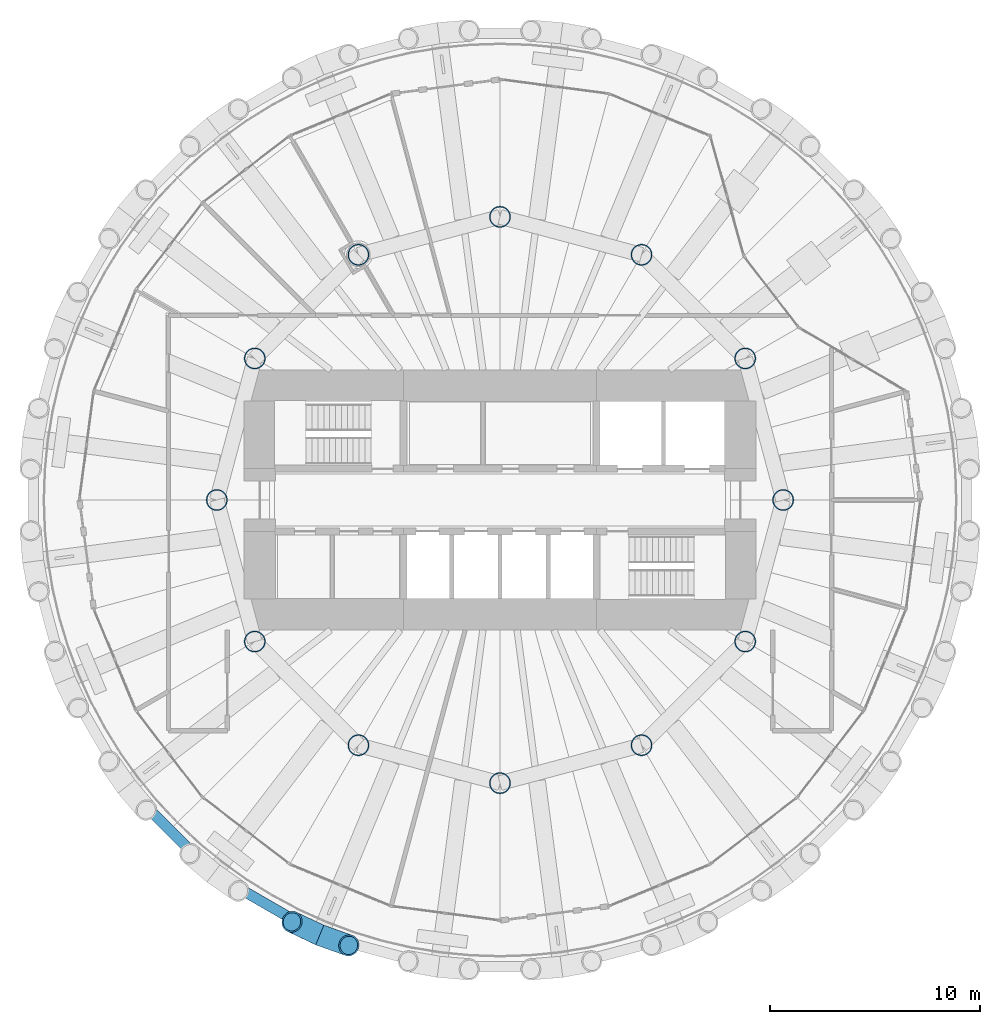
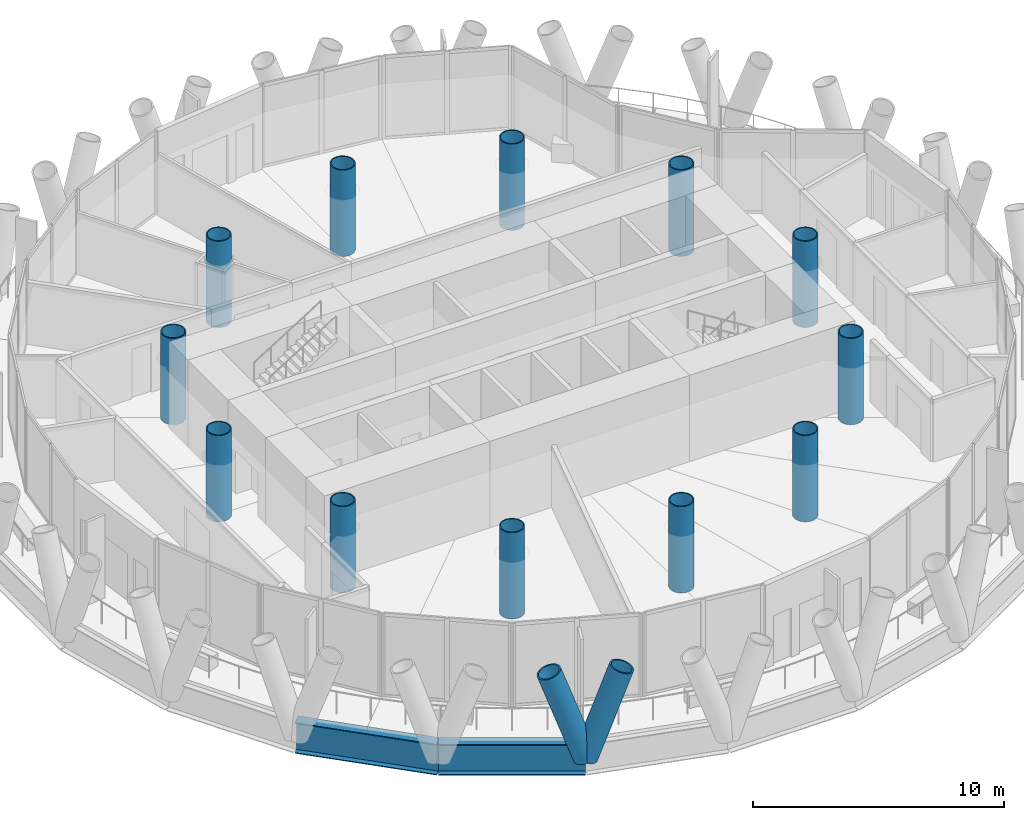
# One storey, part 1 of 14: 12 columns, 2 beams, 2 members.
"""IFC4 building model written with IfcOpenShell, lengths in metres."""

from ifc_helpers import new_model, si_unit, direction, frame, origin, origin_2d, place, context, subcontext, project, spatial, hollow_circle, i_section, extrude, material, material_profile, profile_set, type_object, element, save


model = new_model("IFC4")

# Units and contexts
model_context = context("Model", 3, precision=1e-05, world=origin(), true_north=direction((0.0, 1.0)))
body_context = subcontext(model_context, "Body", "Model", "MODEL_VIEW")
ifc_project = project(units=[si_unit("LENGTHUNIT", "METRE"), si_unit("AREAUNIT", "SQUARE_METRE"), si_unit("VOLUMEUNIT", "CUBIC_METRE"), si_unit("PLANEANGLEUNIT", "RADIAN"), si_unit("MASSUNIT", "GRAM", prefix="KILO")], contexts=[model_context])

# Site, building, storey
site_placement = place(None, origin())
site = spatial("IfcSite", under=ifc_project, at=site_placement, CompositionType="ELEMENT")
building_placement = place(site_placement, origin())
building = spatial("IfcBuilding", under=site, at=building_placement, Name="Qaws Media Tower", CompositionType="ELEMENT")
storey_placement = place(building_placement, frame((0.0, 0.0, 236.0)))
storey = spatial("IfcBuildingStorey", under=building, at=storey_placement, Name="L54", CompositionType="ELEMENT", Elevation=236.0)

# Columns
ifc_material_1 = material(Name="Steel S460", Category="steel")
ifc_material_profile_1 = material_profile(ifc_material_1, hollow_circle(Radius=0.508056640625, WallThickness=0.050048828125, at=origin_2d()), Name="CHS 1016x50")
ifc_profile_set_1 = profile_set([ifc_material_profile_1], Name="Steel S460")
column_type = type_object("IfcColumnType", Name="Inner column CHS 1016x50", PredefinedType="COLUMN", material=ifc_profile_set_1)
for number, where, z_axis, x_axis, name in (
    (1, (73.5, 50.0, 0.0), (0.0, 0.0, 1.0), (1.0, 0.0, 0.0), "C2 inner column I01 L54"),
    (2, (71.69140625, 56.75, 0.0), (0.0, 0.0, 1.0), (1.0, 0.0, 0.0), "C2 inner column I02 L54"),
    (3, (66.75, 61.69140625, 0.0), (0.0, 0.0, 1.0), (1.0, 0.0, 0.0), "C2 inner column I03 L54"),
    (4, (60.0, 63.5, 0.0), (0.0, 0.0, 1.0), (1.0, 0.0, 0.0), "C2 inner column I04 L54"),
    (5, (53.25, 61.69140625, 0.0), (0.0, 0.0, 1.0), (1.0, 0.0, 0.0), "C2 inner column I05 L54"),
    (6, (48.30859375, 56.75, 0.0), (0.0, 0.0, 1.0), (1.0, 0.0, 0.0), "C2 inner column I06 L54"),
    (7, (46.5, 50.0, 0.0), (0.0, 0.0, 1.0), (1.0, 0.0, 0.0), "C2 inner column I07 L54"),
    (8, (48.30859375, 43.25, 0.0), (0.0, 0.0, 1.0), (1.0, 0.0, 0.0), "C2 inner column I08 L54"),
    (9, (53.25, 38.30859375, 0.0), (0.0, 0.0, 1.0), (1.0, 0.0, 0.0), "C2 inner column I09 L54"),
    (10, (60.0, 36.5, 0.0), (0.0, 0.0, 1.0), (1.0, 0.0, 0.0), "C2 inner column I10 L54"),
    (11, (66.75, 38.30859375, 0.0), (0.0, 0.0, 1.0), (1.0, 0.0, 0.0), "C2 inner column I11 L54"),
    (12, (71.69140625, 43.25, 0.0), (0.0, 0.0, 1.0), (1.0, 0.0, 0.0), "C2 inner column I12 L54"),
):
    element("IfcColumn", number, at=place(storey_placement, frame(where, z_axis=z_axis, x_axis=x_axis)), inside=storey, type_object=column_type, Name=name, PredefinedType="COLUMN", context=body_context, shape_type="SweptSolid", body=[
        extrude(hollow_circle(Radius=0.508056640625, WallThickness=0.050048828125, at=origin_2d()), origin(), (0.0, 0.0, 1.0), 4.199951171875),
    ])

# Members
ifc_material_2 = material(Name="Steel S460", Category="steel")
ifc_material_profile_2 = material_profile(ifc_material_2, hollow_circle(Radius=0.508056640625, WallThickness=0.070068359375, at=origin_2d()), Name="CHS 1016x70")
ifc_profile_set_2 = profile_set([ifc_material_profile_2], Name="Steel S460")
member_type = type_object("IfcMemberType", Name="Diagrid member CHS 1016x70", PredefinedType="USERDEFINED", material=ifc_profile_set_2)
for number, where, z_axis, x_axis, name in (
    (13, (51.40869140625, 29.2587890625, -0.909912109375), (0.310849260058, -0.110950962725, 0.943961133412), (0.336157352537, 0.941805836856, 0.0), "DG3 diagrid L54 A17"),
    (14, (51.40869140625, 29.2587890625, -0.909912109375), (-0.298231287993, 0.14135120476, 0.943969245142), (-0.428293598043, -0.903639637176, 0.0), "DG3 diagrid L54 B17"),
):
    element("IfcMember", number, at=place(storey_placement, frame(where, z_axis=z_axis, x_axis=x_axis)), inside=storey, type_object=member_type, Name=name, ObjectType="DIAGRID", PredefinedType="USERDEFINED", context=body_context, shape_type="SweptSolid", body=[
        extrude(hollow_circle(Radius=0.508056640625, WallThickness=0.070068359375, at=origin_2d()), origin(), (0.0, 0.0, 1.0), 4.44921875),
    ])

# Beams
ifc_material_3 = material(Name="Steel S460", Category="steel")
ifc_material_profile_3 = material_profile(ifc_material_3, i_section(OverallWidth=0.5, OverallDepth=1.5, WebThickness=0.02001953125, FlangeThickness=0.0400390625, at=origin_2d()), Name="PG 1500x500")
ifc_profile_set_3 = profile_set([ifc_material_profile_3], Name="Steel S460")
beam_type = type_object("IfcBeamType", Name="Edge ring beam PG 1500x500", PredefinedType="BEAM", material=ifc_profile_set_3)
for number, where, z_axis, x_axis, name in (
    (15, (42.189208984375, 36.333251953125, -0.909912109375), (0.707106781187, -0.707106781187, 0.0), (0.707106781187, 0.707106781187, 0.0), "RB4 edge ring beam L54-15"),
    (16, (46.333251953125, 32.189208984375, -0.909912109375), (0.866017011316, -0.5000145359, 0.0), (0.5000145359, 0.866017011316, 0.0), "RB4 edge ring beam L54-16"),
):
    element("IfcBeam", number, at=place(storey_placement, frame(where, z_axis=z_axis, x_axis=x_axis)), inside=storey, type_object=beam_type, Name=name, PredefinedType="BEAM", context=body_context, shape_type="SweptSolid", body=[
        extrude(i_section(OverallWidth=0.5, OverallDepth=1.5, WebThickness=0.02001953125, FlangeThickness=0.0400390625, at=origin_2d()), origin(), (0.0, 0.0, 1.0), 5.860595703125),
    ])

save(model, "model.ifc")
